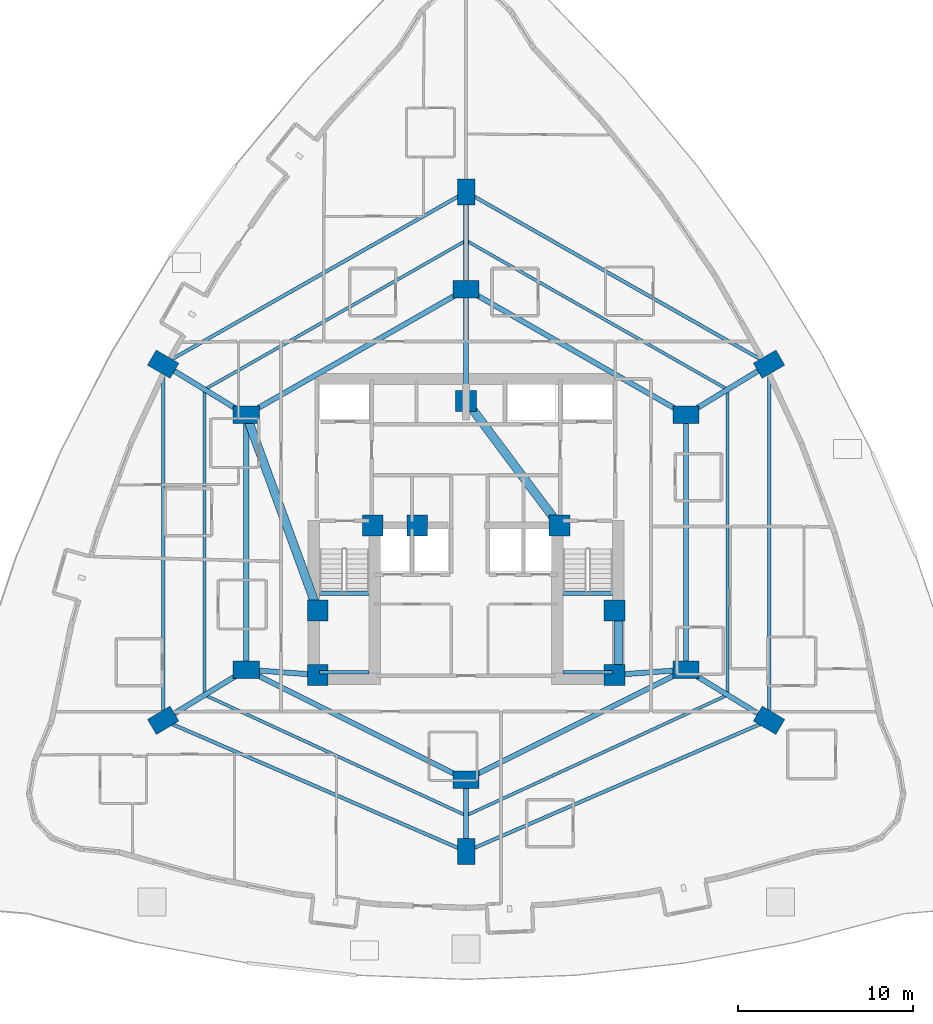
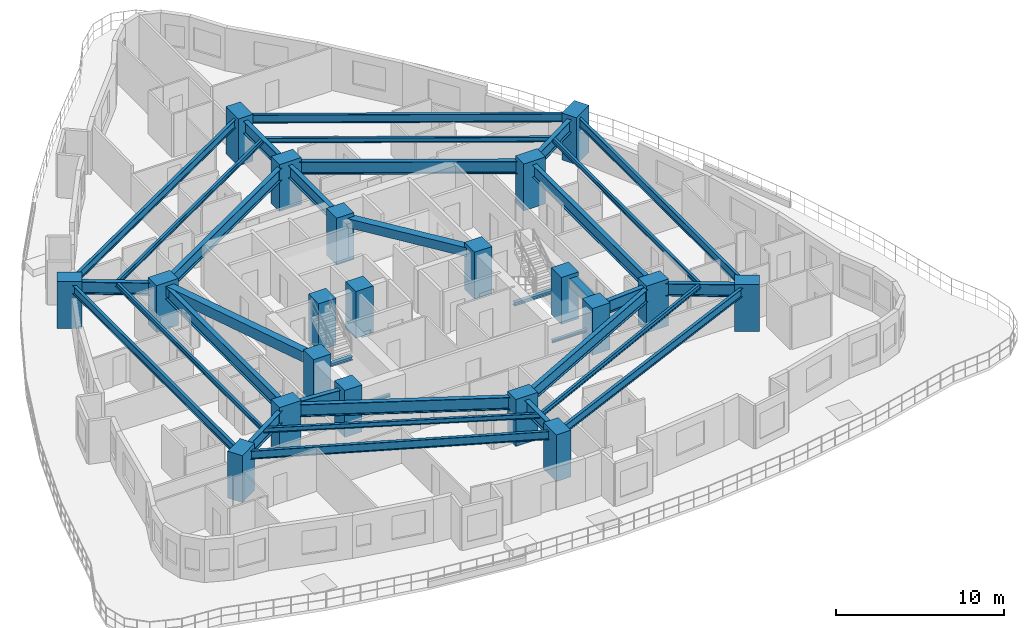
# One storey, part 1 of 17: 34 beams, 20 columns.
"""IFC4 building model written with IfcOpenShell, lengths in metres."""

from ifc_helpers import new_model, si_unit, direction, frame, origin, origin_2d, place, context, subcontext, project, spatial, rectangle, i_section, extrude, material, material_profile, profile_set, type_object, element, save


model = new_model("IFC4")

# Units and contexts
model_context = context("Model", 3, precision=1e-05, world=origin(), true_north=direction((0.0, 1.0)))
body_context = subcontext(model_context, "Body", "Model", "MODEL_VIEW")
ifc_project = project(units=[si_unit("LENGTHUNIT", "METRE"), si_unit("AREAUNIT", "SQUARE_METRE"), si_unit("VOLUMEUNIT", "CUBIC_METRE"), si_unit("PLANEANGLEUNIT", "RADIAN"), si_unit("MASSUNIT", "GRAM", prefix="KILO")], contexts=[model_context])

# Site, building, storey
site_placement = place(None, origin())
site = spatial("IfcSite", under=ifc_project, at=site_placement, CompositionType="ELEMENT")
building_placement = place(site_placement, origin())
building = spatial("IfcBuilding", under=site, at=building_placement, Name="Miruveldt Soraemaru", CompositionType="ELEMENT")
storey_placement = place(building_placement, frame((0.0, 0.0, 29.199951171875)))
storey = spatial("IfcBuildingStorey", under=building, at=storey_placement, Name="L07", CompositionType="ELEMENT", Elevation=29.199951171875)

# Columns
ifc_material_1 = material(Name="Concrete C70/85 (70 MPa)", Category="concrete")
ifc_material_profile_1 = material_profile(ifc_material_1, rectangle(XDim=1.199951171875, YDim=1.199951171875, at=origin_2d()), Name="Concrete C70/85 (70 MPa)", Category="concrete")
ifc_profile_set_1 = profile_set([ifc_material_profile_1], Name="Concrete C70/85 (70 MPa)")
column_type_1 = type_object("IfcColumnType", Name="COL-CORE-1200", PredefinedType="COLUMN", material=ifc_profile_set_1)
for number, where, z_axis, x_axis, name in (
    (1, (35.5, 35.5, 0.0), (0.0, 0.0, 1.0), (1.0, 0.0, 0.0), "L07 Structural Column CC1"),
    (2, (38.64990234375, 44.050048828125, 0.0), (0.0, 0.0, 1.0), (1.0, 0.0, 0.0), "L07 Structural Column CC2"),
    (3, (52.5, 35.5, 0.0), (0.0, 0.0, 1.0), (1.0, 0.0, 0.0), "L07 Structural Column CC3"),
    (4, (52.5, 39.199951171875, 0.0), (0.0, 0.0, 1.0), (1.0, 0.0, 0.0), "L07 Structural Column CC4"),
    (5, (49.35009765625, 44.050048828125, 0.0), (0.0, 0.0, 1.0), (1.0, 0.0, 0.0), "L07 Structural Column CC5"),
    (6, (44.0, 51.199951171875, 0.0), (0.0, 0.0, 1.0), (1.0, 0.0, 0.0), "L07 Structural Column CC6"),
    (7, (35.5, 39.199951171875, 0.0), (0.0, 0.0, 1.0), (1.0, 0.0, 0.0), "L07 Structural Column CC7"),
    (8, (41.199951171875, 44.050048828125, 0.0), (0.0, 0.0, 1.0), (1.0, 0.0, 0.0), "L07 Structural Column CC8"),
):
    element("IfcColumn", number, at=place(storey_placement, frame(where, z_axis=z_axis, x_axis=x_axis)), inside=storey, type_object=column_type_1, Name=name, PredefinedType="COLUMN", context=body_context, shape_type="SweptSolid", body=[
        extrude(rectangle(XDim=1.199951171875, YDim=1.199951171875, at=origin_2d()), origin(), (0.0, 0.0, 1.0), 3.400146484375),
    ])
ifc_material_2 = material(Name="Concrete C80/95 (80 MPa)", Category="concrete")
ifc_material_profile_2 = material_profile(ifc_material_2, rectangle(XDim=1.5, YDim=1.0, at=origin_2d()), Name="Concrete C80/95 (80 MPa)", Category="concrete")
ifc_profile_set_2 = profile_set([ifc_material_profile_2], Name="Concrete C80/95 (80 MPa)")
column_type_2 = type_object("IfcColumnType", Name="COL-TW-Z1A", PredefinedType="COLUMN", material=ifc_profile_set_2)
for number, where, z_axis, x_axis, name in (
    (9, (44.0, 57.60009765625, 0.0), (0.0, 0.0, 1.0), (1.0, 0.0, 0.0), "L07 Structural Column IR01"),
    (10, (56.60009765625, 50.39990234375, 0.0), (0.0, 0.0, 1.0), (1.0, 0.0, 0.0), "L07 Structural Column IR02"),
    (11, (56.60009765625, 35.800048828125, 0.0), (0.0, 0.0, 1.0), (1.0, 0.0, 0.0), "L07 Structural Column IR03"),
    (12, (44.0, 29.5, 0.0), (0.0, 0.0, 1.0), (1.0, 0.0, 0.0), "L07 Structural Column IR04"),
    (13, (31.39990234375, 35.800048828125, 0.0), (0.0, 0.0, 1.0), (1.0, 0.0, 0.0), "L07 Structural Column IR05"),
    (14, (31.39990234375, 50.39990234375, 0.0), (0.0, 0.0, 1.0), (1.0, 0.0, 0.0), "L07 Structural Column IR06"),
    (15, (44.0, 63.16796875, 0.0), (0.0, 0.0, 1.0), (0.0, 1.0, 0.0), "L07 Structural Column Z1P01"),
    (16, (61.35595703125, 53.300048828125, 0.0), (0.0, 0.0, 1.0), (0.864274801954, 0.50301994663, 0.0), "L07 Structural Column Z1P02"),
    (17, (61.35595703125, 32.89990234375, 0.0), (0.0, 0.0, 1.0), (-0.859852271597, 0.510542917912, 0.0), "L07 Structural Column Z1P03"),
    (18, (44.0, 25.382080078125, 0.0), (0.0, 0.0, 1.0), (0.0, 1.0, 0.0), "L07 Structural Column Z1P04"),
    (19, (26.64404296875, 32.89990234375, 0.0), (0.0, 0.0, 1.0), (0.859852271597, 0.510542917912, 0.0), "L07 Structural Column Z1P05"),
    (20, (26.64404296875, 53.300048828125, 0.0), (0.0, 0.0, 1.0), (-0.864274801954, 0.50301994663, 0.0), "L07 Structural Column Z1P06"),
):
    element("IfcColumn", number, at=place(storey_placement, frame(where, z_axis=z_axis, x_axis=x_axis)), inside=storey, type_object=column_type_2, Name=name, PredefinedType="COLUMN", context=body_context, shape_type="SweptSolid", body=[
        extrude(rectangle(XDim=1.5, YDim=1.0, at=origin_2d()), origin(), (0.0, 0.0, 1.0), 3.400146484375),
    ])

# Beams
ifc_material_3 = material(Name="Concrete C50/60 (50 MPa)", Category="concrete")
ifc_material_profile_3 = material_profile(ifc_material_3, rectangle(XDim=0.5, YDim=0.64990234375, at=origin_2d()), Name="Concrete C50/60 (50 MPa)", Category="concrete")
ifc_profile_set_3 = profile_set([ifc_material_profile_3], Name="Concrete C50/60 (50 MPa)")
beam_type_1 = type_object("IfcBeamType", Name="BM-RC-500x650", PredefinedType="BEAM", material=ifc_profile_set_3)
beam_1_placement = place(storey_placement, frame((52.72998046875, 35.5, 2.800048828125), z_axis=(0.0, 1.0, 0.0), x_axis=(-1.0, 0.0, 0.0)))
element("IfcBeam", 21, at=beam_1_placement, inside=storey, type_object=beam_type_1, Name="L07 Core Tie Beam 3", PredefinedType="BEAM", context=body_context, shape_type="SweptSolid", body=[
    extrude(rectangle(XDim=0.5, YDim=0.64990234375, at=origin_2d()), origin(), (0.0, 0.0, 1.0), 3.699951171875),
])
beam_2_placement = place(storey_placement, frame((49.35009765625, 44.050048828125, 2.800048828125), z_axis=(-0.599116023999, 0.800662219533, 0.0), x_axis=(-0.800662219533, -0.599116023999, 0.0)))
element("IfcBeam", 22, at=beam_2_placement, inside=storey, type_object=beam_type_1, Name="L07 Core Tie Beam 5", PredefinedType="BEAM", context=body_context, shape_type="SweptSolid", body=[
    extrude(rectangle(XDim=0.5, YDim=0.64990234375, at=origin_2d()), origin(), (0.0, 0.0, 1.0), 8.929931640625),
])
ifc_material_4 = material(Name="Concrete C40/50 (40 MPa)", Category="concrete")
ifc_material_profile_4 = material_profile(ifc_material_4, rectangle(XDim=0.5, YDim=0.75, at=origin_2d()), Name="Concrete C40/50 (40 MPa)", Category="concrete")
ifc_profile_set_4 = profile_set([ifc_material_profile_4], Name="Concrete C40/50 (40 MPa)")
beam_type_2 = type_object("IfcBeamType", Name="BM-RC-500x750", PredefinedType="LINTEL", material=ifc_profile_set_4)
beam_3_placement = place(storey_placement, frame((31.39990234375, 50.39990234375, 2.75), z_axis=(0.343770424598, -0.939053723262, 0.0), x_axis=(0.939053723262, 0.343770424598, 0.0)))
element("IfcBeam", 23, at=beam_3_placement, inside=storey, type_object=beam_type_2, Name="L07 West Lobby Lintel", PredefinedType="LINTEL", context=body_context, shape_type="SweptSolid", body=[
    extrude(rectangle(XDim=0.5, YDim=0.75, at=origin_2d()), origin(), (0.0, 0.0, 1.0), 11.9267578125),
])
ifc_material_5 = material(Name="Steel SM355 (355 MPa)", Category="steel")
ifc_material_profile_5 = material_profile(ifc_material_5, i_section(OverallWidth=0.175048828125, OverallDepth=0.35009765625, WebThickness=0.007080078125, FlangeThickness=0.010986328125, FilletRadius=0.013916015625, at=origin_2d()), Name="Steel SM355 (355 MPa)", Category="steel")
ifc_profile_set_5 = profile_set([ifc_material_profile_5], Name="Steel SM355 (355 MPa)")
beam_type_3 = type_object("IfcBeamType", Name="BM-ST-H350", PredefinedType="JOIST", material=ifc_profile_set_5)
beam_4_placement = place(storey_placement, frame((44.0, 60.384033203125, 2.949951171875), z_axis=(0.868865604585, -0.495048039254, 0.0), x_axis=(0.495048039254, 0.868865604585, 0.0)))
element("IfcBeam", 24, at=beam_4_placement, inside=storey, type_object=beam_type_3, Name="L07 Outer Bay Floor Joist 1", PredefinedType="JOIST", context=body_context, shape_type="SweptSolid", body=[
    extrude(i_section(OverallWidth=0.175048828125, OverallDepth=0.35009765625, WebThickness=0.007080078125, FlangeThickness=0.010986328125, FilletRadius=0.013916015625, at=origin_2d()), origin(), (0.0, 0.0, 1.0), 17.238525390625),
])
beam_5_placement = place(storey_placement, frame((58.97802734375, 51.85009765625, 2.949951171875), z_axis=(0.0, -1.0, 0.0), x_axis=(1.0, 0.0, 0.0)))
element("IfcBeam", 25, at=beam_5_placement, inside=storey, type_object=beam_type_3, Name="L07 Outer Bay Floor Joist 2", PredefinedType="JOIST", context=body_context, shape_type="SweptSolid", body=[
    extrude(i_section(OverallWidth=0.175048828125, OverallDepth=0.35009765625, WebThickness=0.007080078125, FlangeThickness=0.010986328125, FilletRadius=0.013916015625, at=origin_2d()), origin(), (0.0, 0.0, 1.0), 17.5),
])
for number, where, z_axis, x_axis, name in (
    (26, (58.97802734375, 34.35009765625, 2.949951171875), (-0.908046005539, -0.418870447543, 0.0), (0.418870447543, -0.908046005539, 0.0), "L07 Outer Bay Floor Joist 3"),
    (27, (44.0, 27.44091796875, 2.949951171875), (-0.908046005539, 0.418870447543, 0.0), (-0.418870447543, -0.908046005539, 0.0), "L07 Outer Bay Floor Joist 4"),
):
    element("IfcBeam", number, at=place(storey_placement, frame(where, z_axis=z_axis, x_axis=x_axis)), inside=storey, type_object=beam_type_3, Name=name, PredefinedType="JOIST", context=body_context, shape_type="SweptSolid", body=[
        extrude(i_section(OverallWidth=0.175048828125, OverallDepth=0.35009765625, WebThickness=0.007080078125, FlangeThickness=0.010986328125, FilletRadius=0.013916015625, at=origin_2d()), origin(), (0.0, 0.0, 1.0), 16.494873046875),
    ])
beam_6_placement = place(storey_placement, frame((29.02197265625, 34.35009765625, 2.949951171875), z_axis=(0.0, 1.0, 0.0), x_axis=(-1.0, 0.0, 0.0)))
element("IfcBeam", 28, at=beam_6_placement, inside=storey, type_object=beam_type_3, Name="L07 Outer Bay Floor Joist 5", PredefinedType="JOIST", context=body_context, shape_type="SweptSolid", body=[
    extrude(i_section(OverallWidth=0.175048828125, OverallDepth=0.35009765625, WebThickness=0.007080078125, FlangeThickness=0.010986328125, FilletRadius=0.013916015625, at=origin_2d()), origin(), (0.0, 0.0, 1.0), 17.5),
])
beam_7_placement = place(storey_placement, frame((29.02197265625, 51.85009765625, 2.949951171875), z_axis=(0.868865604585, 0.495048039254, 0.0), x_axis=(-0.495048039254, 0.868865604585, 0.0)))
element("IfcBeam", 29, at=beam_7_placement, inside=storey, type_object=beam_type_3, Name="L07 Outer Bay Floor Joist 6", PredefinedType="JOIST", context=body_context, shape_type="SweptSolid", body=[
    extrude(i_section(OverallWidth=0.175048828125, OverallDepth=0.35009765625, WebThickness=0.007080078125, FlangeThickness=0.010986328125, FilletRadius=0.013916015625, at=origin_2d()), origin(), (0.0, 0.0, 1.0), 17.238525390625),
])
ifc_material_profile_6 = material_profile(ifc_material_5, i_section(OverallWidth=0.199951171875, OverallDepth=0.60009765625, WebThickness=0.010986328125, FlangeThickness=0.01708984375, FilletRadius=0.02197265625, at=origin_2d()), Name="Steel SM355 (355 MPa)", Category="steel")
ifc_profile_set_6 = profile_set([ifc_material_profile_6], Name="Steel SM355 (355 MPa)")
beam_type_4 = type_object("IfcBeamType", Name="BM-ST-H600", PredefinedType="SPANDREL", material=ifc_profile_set_6)
beam_8_placement = place(storey_placement, frame((44.0, 63.16796875, 2.824951171875), z_axis=(0.869314947608, -0.494258557706, 0.0), x_axis=(0.494258557706, 0.869314947608, 0.0)))
element("IfcBeam", 30, at=beam_8_placement, inside=storey, type_object=beam_type_4, Name="L07 Zone-1 Spandrel Beam 1", PredefinedType="SPANDREL", context=body_context, shape_type="SweptSolid", body=[
    extrude(i_section(OverallWidth=0.199951171875, OverallDepth=0.60009765625, WebThickness=0.010986328125, FlangeThickness=0.01708984375, FilletRadius=0.02197265625, at=origin_2d()), origin(), (0.0, 0.0, 1.0), 19.965087890625),
])
beam_9_placement = place(storey_placement, frame((61.35595703125, 53.300048828125, 2.824951171875), z_axis=(0.0, -1.0, 0.0), x_axis=(1.0, 0.0, 0.0)))
element("IfcBeam", 31, at=beam_9_placement, inside=storey, type_object=beam_type_4, Name="L07 Zone-1 Spandrel Beam 2", PredefinedType="SPANDREL", context=body_context, shape_type="SweptSolid", body=[
    extrude(i_section(OverallWidth=0.199951171875, OverallDepth=0.60009765625, WebThickness=0.010986328125, FlangeThickness=0.01708984375, FilletRadius=0.02197265625, at=origin_2d()), origin(), (0.0, 0.0, 1.0), 20.400146484375),
])
for number, where, z_axis, x_axis, name in (
    (32, (61.35595703125, 32.89990234375, 2.824951171875), (-0.917615263736, -0.397469782195, 0.0), (0.397469782195, -0.917615263736, 0.0), "L07 Zone-1 Spandrel Beam 3"),
    (33, (44.0, 25.382080078125, 2.824951171875), (-0.917615263736, 0.397469782195, 0.0), (-0.397469782195, -0.917615263736, 0.0), "L07 Zone-1 Spandrel Beam 4"),
):
    element("IfcBeam", number, at=place(storey_placement, frame(where, z_axis=z_axis, x_axis=x_axis)), inside=storey, type_object=beam_type_4, Name=name, PredefinedType="SPANDREL", context=body_context, shape_type="SweptSolid", body=[
        extrude(i_section(OverallWidth=0.199951171875, OverallDepth=0.60009765625, WebThickness=0.010986328125, FlangeThickness=0.01708984375, FilletRadius=0.02197265625, at=origin_2d()), origin(), (0.0, 0.0, 1.0), 18.914306640625),
    ])
beam_10_placement = place(storey_placement, frame((26.64404296875, 32.89990234375, 2.824951171875), z_axis=(0.0, 1.0, 0.0), x_axis=(-1.0, 0.0, 0.0)))
element("IfcBeam", 34, at=beam_10_placement, inside=storey, type_object=beam_type_4, Name="L07 Zone-1 Spandrel Beam 5", PredefinedType="SPANDREL", context=body_context, shape_type="SweptSolid", body=[
    extrude(i_section(OverallWidth=0.199951171875, OverallDepth=0.60009765625, WebThickness=0.010986328125, FlangeThickness=0.01708984375, FilletRadius=0.02197265625, at=origin_2d()), origin(), (0.0, 0.0, 1.0), 20.400146484375),
])
beam_11_placement = place(storey_placement, frame((26.64404296875, 53.300048828125, 2.824951171875), z_axis=(0.869314947608, 0.494258557706, 0.0), x_axis=(-0.494258557706, 0.869314947608, 0.0)))
element("IfcBeam", 35, at=beam_11_placement, inside=storey, type_object=beam_type_4, Name="L07 Zone-1 Spandrel Beam 6", PredefinedType="SPANDREL", context=body_context, shape_type="SweptSolid", body=[
    extrude(i_section(OverallWidth=0.199951171875, OverallDepth=0.60009765625, WebThickness=0.010986328125, FlangeThickness=0.01708984375, FilletRadius=0.02197265625, at=origin_2d()), origin(), (0.0, 0.0, 1.0), 19.965087890625),
])
ifc_material_6 = material(Name="Steel S460 (460 MPa)", Category="steel")
ifc_material_profile_7 = material_profile(ifc_material_6, i_section(OverallWidth=0.300048828125, OverallDepth=0.89990234375, WebThickness=0.01611328125, FlangeThickness=0.028076171875, FilletRadius=0.028076171875, at=origin_2d()), Name="Steel S460 (460 MPa)", Category="steel")
ifc_profile_set_7 = profile_set([ifc_material_profile_7], Name="Steel S460 (460 MPa)")
beam_type_5 = type_object("IfcBeamType", Name="BM-ST-H900", PredefinedType="BEAM", material=ifc_profile_set_7)
beam_12_placement = place(storey_placement, frame((44.0, 57.60009765625, 2.675048828125), z_axis=(0.868239001029, -0.496146185203, 0.0), x_axis=(0.496146185203, 0.868239001029, 0.0)))
element("IfcBeam", 36, at=beam_12_placement, inside=storey, type_object=beam_type_5, Name="L07 Inner Ring Girder 1", PredefinedType="BEAM", context=body_context, shape_type="SweptSolid", body=[
    extrude(i_section(OverallWidth=0.300048828125, OverallDepth=0.89990234375, WebThickness=0.01611328125, FlangeThickness=0.028076171875, FilletRadius=0.028076171875, at=origin_2d()), origin(), (0.0, 0.0, 1.0), 14.51220703125),
])
beam_13_placement = place(storey_placement, frame((44.0, 51.199951171875, 2.675048828125), z_axis=(0.0, 1.0, 0.0), x_axis=(-1.0, 0.0, 0.0)))
element("IfcBeam", 37, at=beam_13_placement, inside=storey, type_object=beam_type_5, Name="L07 Core-to-Inner Radial Girder 1", PredefinedType="BEAM", context=body_context, shape_type="SweptSolid", body=[
    extrude(i_section(OverallWidth=0.300048828125, OverallDepth=0.89990234375, WebThickness=0.01611328125, FlangeThickness=0.028076171875, FilletRadius=0.028076171875, at=origin_2d()), origin(), (0.0, 0.0, 1.0), 6.400146484375),
])
beam_14_placement = place(storey_placement, frame((56.60009765625, 50.39990234375, 2.675048828125), z_axis=(0.0, -1.0, 0.0), x_axis=(1.0, 0.0, 0.0)))
element("IfcBeam", 38, at=beam_14_placement, inside=storey, type_object=beam_type_5, Name="L07 Inner Ring Girder 2", PredefinedType="BEAM", context=body_context, shape_type="SweptSolid", body=[
    extrude(i_section(OverallWidth=0.300048828125, OverallDepth=0.89990234375, WebThickness=0.01611328125, FlangeThickness=0.028076171875, FilletRadius=0.028076171875, at=origin_2d()), origin(), (0.0, 0.0, 1.0), 14.599853515625),
])
beam_15_placement = place(storey_placement, frame((56.60009765625, 35.800048828125, 2.675048828125), z_axis=(-0.894427191, -0.4472135955, 0.0), x_axis=(0.4472135955, -0.894427191, 0.0)))
element("IfcBeam", 39, at=beam_15_placement, inside=storey, type_object=beam_type_5, Name="L07 Inner Ring Girder 3", PredefinedType="BEAM", context=body_context, shape_type="SweptSolid", body=[
    extrude(i_section(OverallWidth=0.300048828125, OverallDepth=0.89990234375, WebThickness=0.01611328125, FlangeThickness=0.028076171875, FilletRadius=0.028076171875, at=origin_2d()), origin(), (0.0, 0.0, 1.0), 14.08740234375),
])
beam_16_placement = place(storey_placement, frame((52.5, 35.5, 2.675048828125), z_axis=(0.997332985605, 0.072985723431, 0.0), x_axis=(-0.072985723431, 0.997332985605, 0.0)))
element("IfcBeam", 40, at=beam_16_placement, inside=storey, type_object=beam_type_5, Name="L07 Core-to-Inner Radial Girder 3", PredefinedType="BEAM", context=body_context, shape_type="SweptSolid", body=[
    extrude(i_section(OverallWidth=0.300048828125, OverallDepth=0.89990234375, WebThickness=0.01611328125, FlangeThickness=0.028076171875, FilletRadius=0.028076171875, at=origin_2d()), origin(), (0.0, 0.0, 1.0), 4.111083984375),
])
beam_17_placement = place(storey_placement, frame((44.0, 29.5, 2.675048828125), z_axis=(-0.894427191, 0.4472135955, 0.0), x_axis=(-0.4472135955, -0.894427191, 0.0)))
element("IfcBeam", 41, at=beam_17_placement, inside=storey, type_object=beam_type_5, Name="L07 Inner Ring Girder 4", PredefinedType="BEAM", context=body_context, shape_type="SweptSolid", body=[
    extrude(i_section(OverallWidth=0.300048828125, OverallDepth=0.89990234375, WebThickness=0.01611328125, FlangeThickness=0.028076171875, FilletRadius=0.028076171875, at=origin_2d()), origin(), (0.0, 0.0, 1.0), 14.08740234375),
])
beam_18_placement = place(storey_placement, frame((31.39990234375, 35.800048828125, 2.675048828125), z_axis=(0.0, 1.0, 0.0), x_axis=(-1.0, 0.0, 0.0)))
element("IfcBeam", 42, at=beam_18_placement, inside=storey, type_object=beam_type_5, Name="L07 Inner Ring Girder 5", PredefinedType="BEAM", context=body_context, shape_type="SweptSolid", body=[
    extrude(i_section(OverallWidth=0.300048828125, OverallDepth=0.89990234375, WebThickness=0.01611328125, FlangeThickness=0.028076171875, FilletRadius=0.028076171875, at=origin_2d()), origin(), (0.0, 0.0, 1.0), 14.599853515625),
])
beam_19_placement = place(storey_placement, frame((35.5, 35.5, 2.675048828125), z_axis=(-0.997332985605, 0.072985723431, 0.0), x_axis=(-0.072985723431, -0.997332985605, 0.0)))
element("IfcBeam", 43, at=beam_19_placement, inside=storey, type_object=beam_type_5, Name="L07 Core-to-Inner Radial Girder 5", PredefinedType="BEAM", context=body_context, shape_type="SweptSolid", body=[
    extrude(i_section(OverallWidth=0.300048828125, OverallDepth=0.89990234375, WebThickness=0.01611328125, FlangeThickness=0.028076171875, FilletRadius=0.028076171875, at=origin_2d()), origin(), (0.0, 0.0, 1.0), 4.111083984375),
])
beam_20_placement = place(storey_placement, frame((31.39990234375, 50.39990234375, 2.675048828125), z_axis=(0.868239001029, 0.496146185203, 0.0), x_axis=(-0.496146185203, 0.868239001029, 0.0)))
element("IfcBeam", 44, at=beam_20_placement, inside=storey, type_object=beam_type_5, Name="L07 Inner Ring Girder 6", PredefinedType="BEAM", context=body_context, shape_type="SweptSolid", body=[
    extrude(i_section(OverallWidth=0.300048828125, OverallDepth=0.89990234375, WebThickness=0.01611328125, FlangeThickness=0.028076171875, FilletRadius=0.028076171875, at=origin_2d()), origin(), (0.0, 0.0, 1.0), 14.51220703125),
])
beam_21_placement = place(storey_placement, frame((44.0, 57.60009765625, 2.675048828125), z_axis=(0.0, 1.0, 0.0), x_axis=(-1.0, 0.0, 0.0)))
element("IfcBeam", 45, at=beam_21_placement, inside=storey, type_object=beam_type_5, Name="L07 Zone-1 Radial Girder 1", PredefinedType="BEAM", context=body_context, shape_type="SweptSolid", body=[
    extrude(i_section(OverallWidth=0.300048828125, OverallDepth=0.89990234375, WebThickness=0.01611328125, FlangeThickness=0.028076171875, FilletRadius=0.028076171875, at=origin_2d()), origin(), (0.0, 0.0, 1.0), 5.56787109375),
])
for number, where, z_axis, x_axis, name in (
    (46, (56.60009765625, 50.39990234375, 2.675048828125), (0.853777644156, 0.520637814935, 0.0), (-0.520637814935, 0.853777644156, 0.0), "L07 Zone-1 Radial Girder 2"),
    (47, (56.60009765625, 35.800048828125, 2.675048828125), (0.853777644156, -0.520637814935, 0.0), (0.520637814935, 0.853777644156, 0.0), "L07 Zone-1 Radial Girder 3"),
):
    element("IfcBeam", number, at=place(storey_placement, frame(where, z_axis=z_axis, x_axis=x_axis)), inside=storey, type_object=beam_type_5, Name=name, PredefinedType="BEAM", context=body_context, shape_type="SweptSolid", body=[
        extrude(i_section(OverallWidth=0.300048828125, OverallDepth=0.89990234375, WebThickness=0.01611328125, FlangeThickness=0.028076171875, FilletRadius=0.028076171875, at=origin_2d()), origin(), (0.0, 0.0, 1.0), 5.5703125),
    ])
beam_22_placement = place(storey_placement, frame((44.0, 29.5, 2.675048828125), z_axis=(0.0, -1.0, 0.0), x_axis=(1.0, 0.0, 0.0)))
element("IfcBeam", 48, at=beam_22_placement, inside=storey, type_object=beam_type_5, Name="L07 Zone-1 Radial Girder 4", PredefinedType="BEAM", context=body_context, shape_type="SweptSolid", body=[
    extrude(i_section(OverallWidth=0.300048828125, OverallDepth=0.89990234375, WebThickness=0.01611328125, FlangeThickness=0.028076171875, FilletRadius=0.028076171875, at=origin_2d()), origin(), (0.0, 0.0, 1.0), 4.117919921875),
])
for number, where, z_axis, x_axis, name in (
    (49, (31.39990234375, 35.800048828125, 2.675048828125), (-0.853777644156, -0.520637814935, 0.0), (0.520637814935, -0.853777644156, 0.0), "L07 Zone-1 Radial Girder 5"),
    (50, (31.39990234375, 50.39990234375, 2.675048828125), (-0.853777644156, 0.520637814935, 0.0), (-0.520637814935, -0.853777644156, 0.0), "L07 Zone-1 Radial Girder 6"),
):
    element("IfcBeam", number, at=place(storey_placement, frame(where, z_axis=z_axis, x_axis=x_axis)), inside=storey, type_object=beam_type_5, Name=name, PredefinedType="BEAM", context=body_context, shape_type="SweptSolid", body=[
        extrude(i_section(OverallWidth=0.300048828125, OverallDepth=0.89990234375, WebThickness=0.01611328125, FlangeThickness=0.028076171875, FilletRadius=0.028076171875, at=origin_2d()), origin(), (0.0, 0.0, 1.0), 5.5703125),
    ])
ifc_material_profile_8 = material_profile(ifc_material_5, i_section(OverallWidth=0.199951171875, OverallDepth=0.199951171875, WebThickness=0.008056640625, FlangeThickness=0.011962890625, FilletRadius=0.012939453125, at=origin_2d()), Name="Steel SM355 (355 MPa)", Category="steel")
ifc_profile_set_8 = profile_set([ifc_material_profile_8], Name="Steel SM355 (355 MPa)")
beam_type_6 = type_object("IfcBeamType", Name="BM-ST-LND200", PredefinedType="BEAM", material=ifc_profile_set_8)
for number, where, z_axis, x_axis, name in (
    (51, (35.60009765625, 35.64990234375, 1.400146484375), (1.0, 0.0, 0.0), (0.0, 1.0, 0.0), "L07 ST1 Landing End Beam 1B"),
    (52, (49.550048828125, 35.64990234375, 1.400146484375), (1.0, 0.0, 0.0), (0.0, 1.0, 0.0), "L07 ST2 Landing End Beam 1B"),
):
    element("IfcBeam", number, at=place(storey_placement, frame(where, z_axis=z_axis, x_axis=x_axis)), inside=storey, type_object=beam_type_6, Name=name, PredefinedType="BEAM", context=body_context, shape_type="SweptSolid", body=[
        extrude(i_section(OverallWidth=0.199951171875, OverallDepth=0.199951171875, WebThickness=0.008056640625, FlangeThickness=0.011962890625, FilletRadius=0.012939453125, at=origin_2d()), origin(), (0.0, 0.0, 1.0), 2.849853515625),
    ])
ifc_material_profile_9 = material_profile(ifc_material_5, i_section(OverallWidth=0.25, OverallDepth=0.25, WebThickness=0.009033203125, FlangeThickness=0.013916015625, FilletRadius=0.01611328125, at=origin_2d()), Name="Steel SM355 (355 MPa)", Category="steel")
ifc_profile_set_9 = profile_set([ifc_material_profile_9], Name="Steel SM355 (355 MPa)")
beam_type_7 = type_object("IfcBeamType", Name="BM-ST-LND250", PredefinedType="BEAM", material=ifc_profile_set_9)
for number, where, z_axis, x_axis, name in (
    (53, (35.60009765625, 40.179931640625, 1.375), (1.0, 0.0, 0.0), (0.0, 1.0, 0.0), "L07 ST1 Landing Support Beam 1A"),
    (54, (49.550048828125, 40.179931640625, 1.375), (1.0, 0.0, 0.0), (0.0, 1.0, 0.0), "L07 ST2 Landing Support Beam 1A"),
):
    element("IfcBeam", number, at=place(storey_placement, frame(where, z_axis=z_axis, x_axis=x_axis)), inside=storey, type_object=beam_type_7, Name=name, PredefinedType="BEAM", context=body_context, shape_type="SweptSolid", body=[
        extrude(i_section(OverallWidth=0.25, OverallDepth=0.25, WebThickness=0.009033203125, FlangeThickness=0.013916015625, FilletRadius=0.01611328125, at=origin_2d()), origin(), (0.0, 0.0, 1.0), 2.849853515625),
    ])

save(model, "model.ifc")
